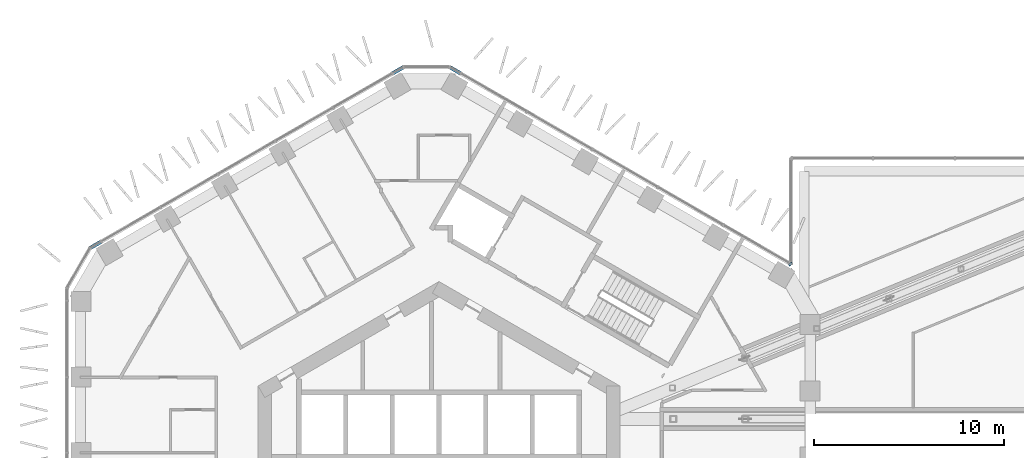
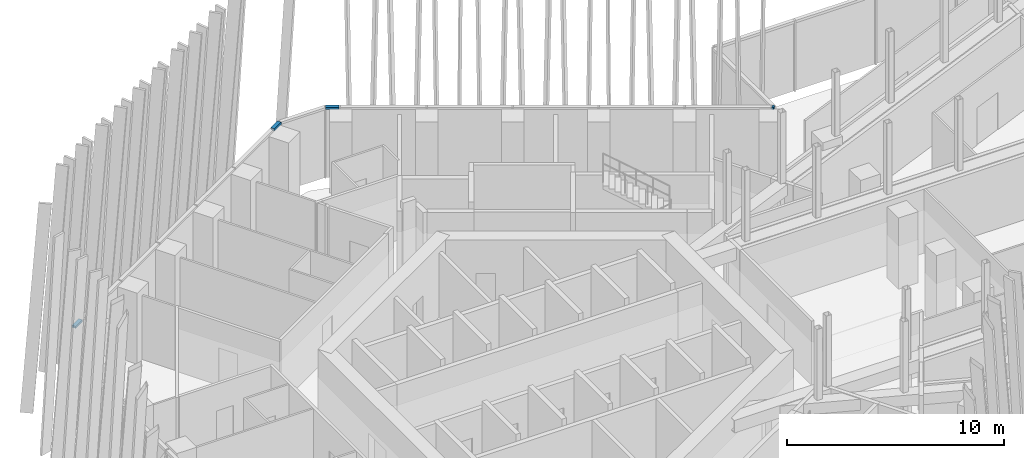
# One storey, part 12 of 28: 4 members, 3 elements without a shape of their own.
"""IFC4 building model written with IfcOpenShell, lengths in metres."""

import ifcopenshell
import ifcopenshell.guid

model = None  # the IFC model being written
_history = None  # IfcOwnerHistory: only IFC2X3 demands one
_inside = {}  # id of a spatial element -> (the spatial element, [elements in it])
_under = {}  # id of a project, library or spatial element -> (it, [spatial elements below it])
_declared = {}  # id of a project -> (the project, [libraries it declares])
_typed = {}  # id of a type object -> (the type object, [elements of that type])
_made_of = {}  # id of a material, layer set ... -> (it, [elements and type objects made of it])


def new_model(schema):
    """Start an empty IFC model of exactly this schema.

    Asked for "IFC4X3", IfcOpenShell would pick the latest addendum, in which some entities
    have other attributes; the version numbers below select the first issue.
    IFC2X3 requires an IfcOwnerHistory on every rooted entity: one is made here for all.
    """
    global model, _history
    if schema == "IFC4X3":
        model = ifcopenshell.file(schema_version=(4, 3, 0, 0))
    else:
        model = ifcopenshell.file(schema=schema)
    _inside.clear()
    _under.clear()
    _declared.clear()
    _typed.clear()
    _made_of.clear()
    _history = None
    if model.schema == "IFC2X3":
        org = make("IfcOrganization", Name="unknown")
        user = make(
            "IfcPersonAndOrganization",
            ThePerson=make("IfcPerson", FamilyName="unknown"),
            TheOrganization=org,
        )
        app = make(
            "IfcApplication",
            ApplicationDeveloper=org,
            Version="unknown",
            ApplicationFullName="unknown",
            ApplicationIdentifier="unknown",
        )
        _history = make(
            "IfcOwnerHistory",
            OwningUser=user,
            OwningApplication=app,
            ChangeAction="ADDED",
            CreationDate=0,
        )
    return model


def make(cls, **values):
    """One entity of the class cls with the attributes given. An attribute that is None is left unset."""
    return model.create_entity(
        cls, **{name: value for name, value in values.items() if value is not None}
    )


def rooted(cls, **values):
    """An entity with a GlobalId (a new one), such as an element, a storey or a relation."""
    return make(cls, GlobalId=ifcopenshell.guid.new(), OwnerHistory=_history, **values)


def si_unit(unit_type, name, prefix=None):
    """IfcSIUnit, for example si_unit("LENGTHUNIT", "METRE", prefix="MILLI")."""
    return make("IfcSIUnit", UnitType=unit_type, Prefix=prefix, Name=name)


def assignment(units):
    """IfcUnitAssignment: the units of a project."""
    return None if units is None else make("IfcUnitAssignment", Units=units)


def point(xyz):
    """IfcCartesianPoint."""
    return None if xyz is None else make("IfcCartesianPoint", Coordinates=xyz)


def direction(xyz):
    """IfcDirection."""
    return None if xyz is None else make("IfcDirection", DirectionRatios=xyz)


def frame(location, z_axis=None, x_axis=None):
    """IfcAxis2Placement3D, a coordinate frame: its origin and axes. An axis left out is left unset."""
    return make(
        "IfcAxis2Placement3D",
        Location=point(location),
        Axis=direction(z_axis),
        RefDirection=direction(x_axis),
    )


def frame_2d(location, x_axis=None):
    """IfcAxis2Placement2D, a coordinate frame in the plane: its origin and x axis."""
    return make(
        "IfcAxis2Placement2D", Location=point(location), RefDirection=direction(x_axis)
    )


def origin():
    """The frame at (0, 0, 0) with its axes left unset."""
    return frame((0.0, 0.0, 0.0))


def origin_2d():
    """The frame at (0, 0) in the plane with its x axis left unset."""
    return frame_2d((0.0, 0.0))


def place(relative_to, where):
    """IfcLocalPlacement: puts the frame where relative to a parent placement (None: the world)."""
    return make(
        "IfcLocalPlacement", PlacementRelTo=relative_to, RelativePlacement=where
    )


def context(
    kind, dimensions, precision=None, world=None, true_north=None, identifier=None
):
    """IfcGeometricRepresentationContext, for example the 3D "Model" context."""
    return make(
        "IfcGeometricRepresentationContext",
        ContextIdentifier=identifier,
        ContextType=kind,
        CoordinateSpaceDimension=dimensions,
        Precision=precision,
        WorldCoordinateSystem=world,
        TrueNorth=true_north,
    )


def subcontext(parent, identifier, kind, view, scale=None):
    """IfcGeometricRepresentationSubContext, for example "Body" below "Model"."""
    return make(
        "IfcGeometricRepresentationSubContext",
        ContextIdentifier=identifier,
        ContextType=kind,
        ParentContext=parent,
        TargetScale=scale,
        TargetView=view,
    )


def project(units=None, contexts=None):
    """IfcProject with its units and contexts."""
    return rooted(
        "IfcProject",
        Name="project",
        RepresentationContexts=contexts,
        UnitsInContext=assignment(units),
    )


def spatial(cls, under=None, at=None, **own):
    """A site, building, storey or space (cls), placed at a placement, below another one or the project."""
    s = rooted(cls, ObjectPlacement=at, **own)
    if under is not None:
        _under.setdefault(under.id(), (under, []))[1].append(s)
    return s


def profile(cls, at=None, kind="AREA", **sizes):
    """A parametric profile (cls). Its sizes go by their IFC names, for example OverallWidth=200.0."""
    return make(cls, ProfileType=kind, Position=at, **sizes)


def rectangle(**sizes):
    """IfcRectangleProfileDef."""
    return profile("IfcRectangleProfileDef", **sizes)


def extrude(swept, where, along, depth):
    """IfcExtrudedAreaSolid: the profile swept, set in the frame where, extruded along a direction by depth."""
    return make(
        "IfcExtrudedAreaSolid",
        SweptArea=swept,
        Position=where,
        ExtrudedDirection=direction(along),
        Depth=depth,
    )


def shape(context_of_items, identifier, shape_type, items):
    """IfcShapeRepresentation: the items that make up one representation, for example the "Body"."""
    return make(
        "IfcShapeRepresentation",
        ContextOfItems=context_of_items,
        RepresentationIdentifier=identifier,
        RepresentationType=shape_type,
        Items=items,
    )


def material(Name=None, Category=None):
    """IfcMaterial."""
    return make("IfcMaterial", Name=Name, Category=Category)


def layer(
    of_material, thickness, ventilated=None, Name=None, Category=None, Priority=None
):
    """IfcMaterialLayer: one layer of a wall or slab, of a material (None: an air gap)."""
    return make(
        "IfcMaterialLayer",
        Material=of_material,
        LayerThickness=thickness,
        IsVentilated=ventilated,
        Name=Name,
        Category=Category,
        Priority=Priority,
    )


def layer_set(layers, Name=None):
    """IfcMaterialLayerSet."""
    return make("IfcMaterialLayerSet", MaterialLayers=layers, LayerSetName=Name)


def material_profile(
    of_material, cross_section, Name=None, Category=None, Priority=None
):
    """IfcMaterialProfile: a cross section and its material."""
    return make(
        "IfcMaterialProfile",
        Name=Name,
        Material=of_material,
        Profile=cross_section,
        Priority=Priority,
        Category=Category,
    )


def profile_set(profiles, Name=None, composite=None):
    """IfcMaterialProfileSet."""
    return make(
        "IfcMaterialProfileSet",
        Name=Name,
        MaterialProfiles=profiles,
        CompositeProfile=composite,
    )


def made_of(thing, what):
    """Note that an element or type object is made of a material, layer set ...; save() writes the relation."""
    if what is not None:
        _made_of.setdefault(what.id(), (what, []))[1].append(thing)
    return thing


def type_object(cls, material=None, **own):
    """A type object (cls), such as IfcWallType, which elements share."""
    return made_of(rooted(cls, **own), material)


def element(
    cls,
    number,
    at=None,
    inside=None,
    cuts=None,
    type_object=None,
    material=None,
    context=None,
    identifier="Body",
    shape_type=None,
    held_by="IfcProductDefinitionShape",
    body=None,
    shapes=None,
    **own,
):
    """One element of the class cls, such as IfcWall. Its Tag is "e" and its number.

    at: its placement. inside: the storey or other place that contains it. cuts: it is an
    opening in that element (IfcRelVoidsElement). A single representation is given by context,
    identifier, shape_type and body (its items); several are given by shapes. held_by: the class
    of the entity that holds the representations. save() writes the other relations.
    """
    e = rooted(cls, Tag="e%d" % number, ObjectPlacement=at, **own)
    if body is not None:
        shapes = [shape(context, identifier, shape_type, body)]
    if shapes is not None:
        e.Representation = make(held_by, Representations=shapes)
    if inside is not None:
        _inside.setdefault(inside.id(), (inside, []))[1].append(e)
    if cuts is not None:
        rooted(
            "IfcRelVoidsElement", RelatingBuildingElement=cuts, RelatedOpeningElement=e
        )
    if type_object is not None:
        _typed.setdefault(type_object.id(), (type_object, []))[1].append(e)
    return made_of(e, material)


def aggregate(whole, parts):
    """IfcRelAggregates: a whole, such as a stair, and the parts it consists of."""
    return rooted("IfcRelAggregates", RelatingObject=whole, RelatedObjects=parts)


def save(model, path):
    """Write the relations noted so far, then the file.

    IfcRelAggregates (storeys below a building ...), IfcRelContainedInSpatialStructure (elements
    in a storey), IfcRelDefinesByType, IfcRelAssociatesMaterial and IfcRelDeclares: one each for
    every whole, place, type object, material and project.
    """
    for whole, parts in _under.values():
        aggregate(whole, parts)
    for where, things in _inside.values():
        rooted(
            "IfcRelContainedInSpatialStructure",
            RelatedElements=things,
            RelatingStructure=where,
        )
    for kind, things in _typed.values():
        rooted("IfcRelDefinesByType", RelatedObjects=things, RelatingType=kind)
    for what, things in _made_of.values():
        rooted("IfcRelAssociatesMaterial", RelatedObjects=things, RelatingMaterial=what)
    for by, libraries in _declared.values():
        rooted("IfcRelDeclares", RelatingContext=by, RelatedDefinitions=libraries)
    model.write(path)


model = new_model("IFC4")

# Units and contexts
model_context = context("Model", 3, precision=1e-05, world=origin(), true_north=direction((0.0, 1.0)))
body_context = subcontext(model_context, "Body", "Model", "MODEL_VIEW")
ifc_project = project(units=[si_unit("LENGTHUNIT", "METRE"), si_unit("AREAUNIT", "SQUARE_METRE"), si_unit("VOLUMEUNIT", "CUBIC_METRE"), si_unit("PLANEANGLEUNIT", "RADIAN"), si_unit("MASSUNIT", "GRAM", prefix="KILO")], contexts=[model_context])

# Site, building, storey
site_placement = place(None, origin())
site = spatial("IfcSite", under=ifc_project, at=site_placement, CompositionType="ELEMENT")
building_placement = place(site_placement, origin())
building = spatial("IfcBuilding", under=site, at=building_placement, Name="Ayvan Gate Tower", CompositionType="ELEMENT")
storey_placement = place(building_placement, frame((0.0, 0.0, 120.5)))
storey = spatial("IfcBuildingStorey", under=building, at=storey_placement, Name="L32", CompositionType="ELEMENT", Elevation=120.5)

# Curtain wall, member
ifc_material = material(Name="Bronze anodised aluminium", Category="aluminium")
ifc_layer = layer(ifc_material, 0.199951171875)
ifc_layer_set = layer_set([ifc_layer], Name="Bronze anodised aluminium")
curtain_wall_type = type_object("IfcCurtainWallType", Name="Stick curtain wall CW-6", PredefinedType="NOTDEFINED", material=ifc_layer_set)
curtain_wall_1_placement = place(storey_placement, origin())
curtain_wall_1 = element("IfcCurtainWall", 1, at=curtain_wall_1_placement, inside=storey, type_object=curtain_wall_type, Name="Stick curtain wall CW-6 L32", PredefinedType="NOTDEFINED")
ifc_material_profile = material_profile(ifc_material, rectangle(XDim=0.199951171875, YDim=0.1201171875, at=origin_2d()), Name="Stick curtain wall CW-6 transom 200 x 120")
ifc_profile_set = profile_set([ifc_material_profile], Name="Bronze anodised aluminium")
member_type = type_object("IfcMemberType", Name="Stick curtain wall CW-6 transom 200 x 120", PredefinedType="USERDEFINED", material=ifc_profile_set)
member_1_placement = place(storey_placement, frame((18.485595703125, 11.85205078125, 3.93994140625), z_axis=(-0.707106781187, 0.707106781187, 0.0), x_axis=(-0.707106781187, -0.707106781187, 0.0)))
member_1 = element("IfcMember", 2, at=member_1_placement, type_object=member_type, Name="CW-6 transom 1", ObjectType="TRANSOM", PredefinedType="USERDEFINED", context=body_context, shape_type="SweptSolid", body=[
    extrude(rectangle(XDim=0.199951171875, YDim=0.1201171875, at=origin_2d()), origin(), (0.0, 0.0, 1.0), 0.099365234375),
])
aggregate(curtain_wall_1, [member_1])

# Curtain wall, members
curtain_wall_2_placement = place(storey_placement, origin())
curtain_wall_2 = element("IfcCurtainWall", 3, at=curtain_wall_2_placement, inside=storey, type_object=curtain_wall_type, Name="Stick curtain wall CW-6 L32", PredefinedType="NOTDEFINED")
member_2_placement = place(storey_placement, frame((1.117431640625, 21.909423828125, 3.93994140625), z_axis=(-0.866022959057, 0.500004234368, 0.0), x_axis=(-0.500004234368, -0.866022959057, 0.0)))
member_2 = element("IfcMember", 4, at=member_2_placement, type_object=member_type, Name="CW-6 transom 1", ObjectType="TRANSOM", PredefinedType="USERDEFINED", context=body_context, shape_type="SweptSolid", body=[
    extrude(rectangle(XDim=0.199951171875, YDim=0.1201171875, at=origin_2d()), origin(), (0.0, 0.0, 1.0), 0.625),
])
member_3_placement = place(storey_placement, frame((-1.8818359375, 22.221923828125, 3.93994140625), z_axis=(-0.866022959057, -0.500004234368, 0.0), x_axis=(0.500004234368, -0.866022959057, 0.0)))
member_3 = element("IfcMember", 5, at=member_3_placement, type_object=member_type, Name="CW-6 transom 3", ObjectType="TRANSOM", PredefinedType="USERDEFINED", context=body_context, shape_type="SweptSolid", body=[
    extrude(rectangle(XDim=0.199951171875, YDim=0.1201171875, at=origin_2d()), origin(), (0.0, 0.0, 1.0), 0.625),
])
aggregate(curtain_wall_2, [member_2, member_3])

# Curtain wall, member
curtain_wall_3_placement = place(storey_placement, origin())
curtain_wall_3 = element("IfcCurtainWall", 6, at=curtain_wall_3_placement, inside=storey, type_object=curtain_wall_type, Name="Stick curtain wall CW-6 L32", PredefinedType="NOTDEFINED")
member_4_placement = place(storey_placement, frame((-17.762451171875, 13.052978515625, 3.93994140625), z_axis=(-0.866022959057, -0.500004234368, 0.0), x_axis=(0.500004234368, -0.866022959057, 0.0)))
member_4 = element("IfcMember", 7, at=member_4_placement, type_object=member_type, Name="CW-6 transom 1", ObjectType="TRANSOM", PredefinedType="USERDEFINED", context=body_context, shape_type="SweptSolid", body=[
    extrude(rectangle(XDim=0.199951171875, YDim=0.1201171875, at=origin_2d()), origin(), (0.0, 0.0, 1.0), 0.625),
])
aggregate(curtain_wall_3, [member_4])

save(model, "model.ifc")
